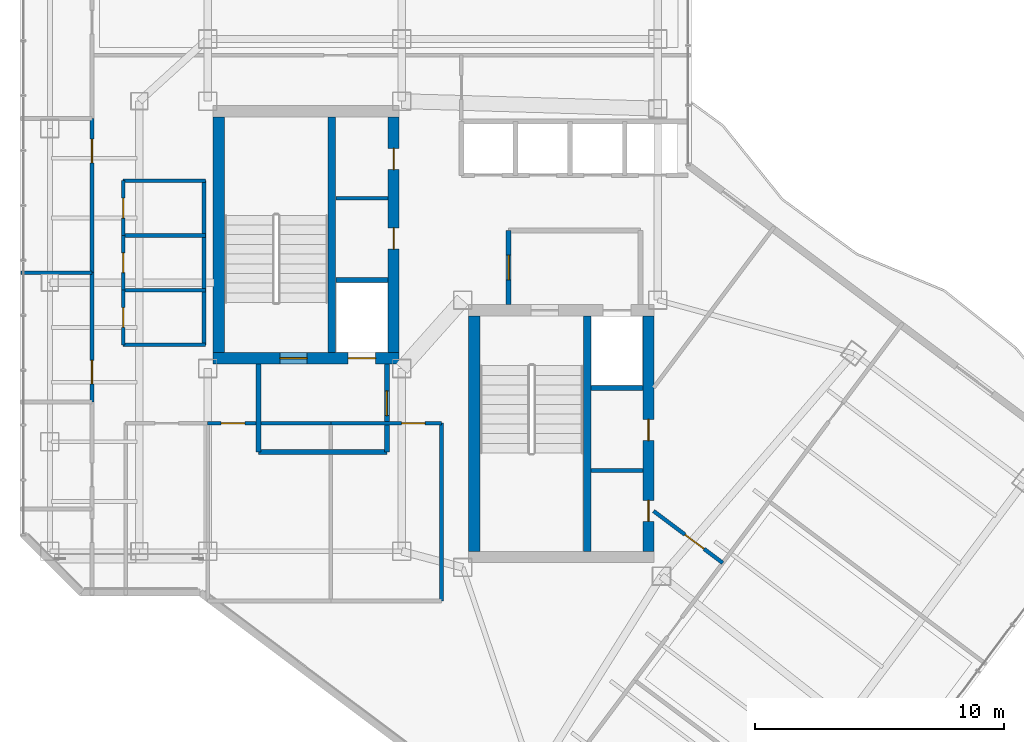
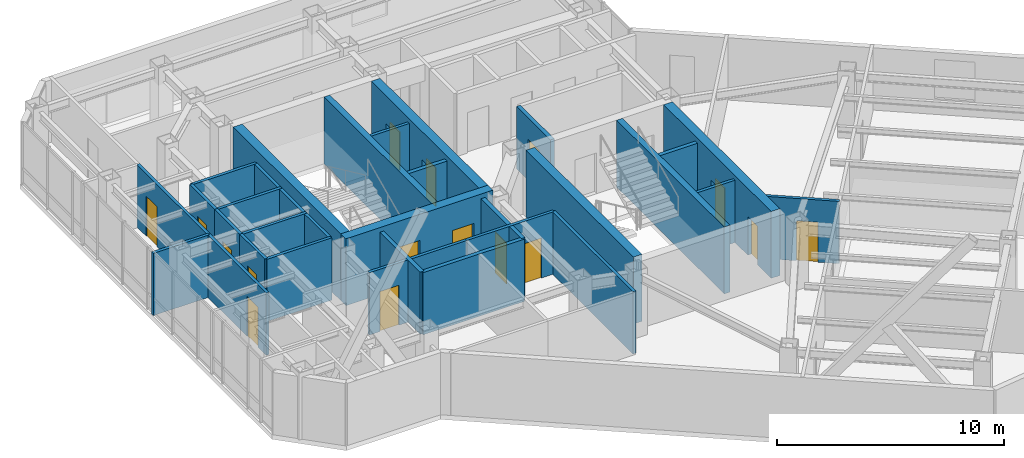
# One storey, part 20 of 24: 30 walls, 16 doors, 16 openings.
"""IFC4 building model written with IfcOpenShell, lengths in metres."""

from ifc_helpers import new_model, si_unit, direction, frame, frame_2d, origin, place, context, subcontext, project, spatial, rectangle, extrude, material, layer, layer_set, type_object, element, fill, save


model = new_model("IFC4")

# Units and contexts
model_context = context("Model", 3, precision=1e-05, world=origin(), true_north=direction((0.0, 1.0)))
body_context = subcontext(model_context, "Body", "Model", "MODEL_VIEW")
ifc_project = project(units=[si_unit("LENGTHUNIT", "METRE"), si_unit("AREAUNIT", "SQUARE_METRE"), si_unit("VOLUMEUNIT", "CUBIC_METRE"), si_unit("PLANEANGLEUNIT", "RADIAN"), si_unit("MASSUNIT", "GRAM", prefix="KILO")], contexts=[model_context])

# Site, building, storey
site_placement = place(None, origin())
site = spatial("IfcSite", under=ifc_project, at=site_placement, CompositionType="ELEMENT")
building_placement = place(site_placement, origin())
building = spatial("IfcBuilding", under=site, at=building_placement, Name="Hatsunagi Terrace Concourse", CompositionType="ELEMENT")
storey_placement = place(building_placement, frame((0.0, 0.0, 213.14990234375)))
storey = spatial("IfcBuildingStorey", under=building, at=storey_placement, Name="L56", CompositionType="ELEMENT", Elevation=213.14990234375)

# Wall, openings, doors
ifc_material_1 = material(Name="Concrete Fc42", Category="concrete")
ifc_layer_1 = layer(ifc_material_1, 0.449951171875)
ifc_layer_set_1 = layer_set([ifc_layer_1], Name="CoreShearWall_Fc42_450")
wall_type_1 = type_object("IfcWallType", Name="CoreShearWall_Fc42_450", PredefinedType="SHEAR", material=ifc_layer_set_1)
wall_1_placement = place(storey_placement, frame((25.77001953125, 32.965087890625, 0.0), z_axis=(0.0, 0.0, 1.0), x_axis=(1.0, 0.0, 0.0)))
wall_1 = element("IfcWall", 1, at=wall_1_placement, inside=storey, type_object=wall_type_1, Name="Core A Shear Wall S L56", PredefinedType="SHEAR", context=body_context, shape_type="SweptSolid", body=[
    extrude(rectangle(XDim=7.47998046875, YDim=0.449951171875, at=frame_2d((3.739990234375, 0.0))), origin(), (0.0, 0.0, 1.0), 3.60009765625),
])
opening_1_placement = place(wall_1_placement, frame((2.679931640625, 0.0, 0.0)))
opening_1 = element("IfcOpeningElement", 2, at=opening_1_placement, cuts=wall_1, Name="Opening DR-110S", PredefinedType="OPENING", context=body_context, shape_type="SweptSolid", body=[
    extrude(rectangle(XDim=1.10009765625, YDim=2.199951171875, at=frame_2d((0.550048828125, 1.10009765625))), frame((0.0, 0.23486328125, 0.0), z_axis=(0.0, -1.0, 0.0), x_axis=(1.0, 0.0, 0.0)), (0.0, 0.0, 1.0), 0.469970703125),
])
opening_2_placement = place(wall_1_placement, frame((5.429931640625, 0.0, 0.0)))
opening_2 = element("IfcOpeningElement", 3, at=opening_2_placement, cuts=wall_1, Name="Opening LD-01", PredefinedType="OPENING", context=body_context, shape_type="SweptSolid", body=[
    extrude(rectangle(XDim=1.10009765625, YDim=2.14990234375, at=frame_2d((0.550048828125, 1.074951171875))), frame((0.0, 0.23486328125, 0.0), z_axis=(0.0, -1.0, 0.0), x_axis=(1.0, 0.0, 0.0)), (0.0, 0.0, 1.0), 0.469970703125),
])
ifc_material_2 = material(Name="Stainless steel", Category="steel")
door_type_1 = type_object("IfcDoorType", Name="LiftLandingDoor_LD01", OperationType="SLIDING_TO_LEFT", PredefinedType="USERDEFINED", material=ifc_material_2)
door_1_placement = place(opening_2_placement, origin())
door_1 = element("IfcDoor", 4, at=door_1_placement, inside=storey, type_object=door_type_1, Name="Lift landing door FF-01 L56", ObjectType="SLIDING_LANDING_DOOR", OperationType="SLIDING_TO_LEFT", OverallHeight=2.14990234375, OverallWidth=1.10009765625, PredefinedType="USERDEFINED", context=body_context, shape_type="SweptSolid", body=[
    extrude(rectangle(XDim=1.10009765625, YDim=2.14990234375, at=frame_2d((0.550048828125, 1.074951171875))), frame((0.0, 0.02490234375, 0.0), z_axis=(0.0, -1.0, 0.0), x_axis=(1.0, 0.0, 0.0)), (0.0, 0.0, 1.0), 0.050048828125),
])
fill(opening_2, door_1)
ifc_material_3 = material(Name="Painted steel", Category="steel")
door_type_2 = type_object("IfcDoorType", Name="StairFireDoor_EI60_1100", OperationType="NOTDEFINED", PredefinedType="DOOR", material=ifc_material_3)
door_2_placement = place(opening_1_placement, origin())
door_2 = element("IfcDoor", 5, at=door_2_placement, inside=storey, type_object=door_type_2, Name="Stair ST-A Exit Door L56", OperationType="SINGLE_SWING_LEFT", OverallHeight=2.199951171875, OverallWidth=1.10009765625, PredefinedType="DOOR", context=body_context, shape_type="SweptSolid", body=[
    extrude(rectangle(XDim=1.10009765625, YDim=2.199951171875, at=frame_2d((0.550048828125, 1.10009765625))), frame((0.0, 0.02490234375, 0.0), z_axis=(0.0, -1.0, 0.0), x_axis=(1.0, 0.0, 0.0)), (0.0, 0.0, 1.0), 0.050048828125),
])
fill(opening_1, door_2)

# Wall
wall_2_placement = place(storey_placement, frame((25.9951171875, 33.18994140625, 0.0), z_axis=(0.0, 0.0, 1.0), x_axis=(0.0, 1.0, 0.0)))
element("IfcWall", 6, at=wall_2_placement, inside=storey, type_object=wall_type_1, Name="Core A Shear Wall W L56", PredefinedType="SHEAR", context=body_context, shape_type="SweptSolid", body=[
    extrude(rectangle(XDim=9.47998046875, YDim=0.449951171875, at=frame_2d((4.739990234375, 0.0))), origin(), (0.0, 0.0, 1.0), 3.60009765625),
])

# Wall, openings, doors
wall_3_placement = place(storey_placement, frame((33.02490234375, 33.18994140625, 0.0), z_axis=(0.0, 0.0, 1.0), x_axis=(0.0, 1.0, 0.0)))
wall_3 = element("IfcWall", 7, at=wall_3_placement, inside=storey, type_object=wall_type_1, Name="Core A Shear Wall E L56", PredefinedType="SHEAR", context=body_context, shape_type="SweptSolid", body=[
    extrude(rectangle(XDim=9.47998046875, YDim=0.449951171875, at=frame_2d((4.739990234375, 0.0))), origin(), (0.0, 0.0, 1.0), 3.60009765625),
])
opening_3_placement = place(wall_3_placement, frame((4.159912109375, 0.0, 0.0)))
opening_3 = element("IfcOpeningElement", 8, at=opening_3_placement, cuts=wall_3, Name="Opening DR-085", PredefinedType="OPENING", context=body_context, shape_type="SweptSolid", body=[
    extrude(rectangle(XDim=0.85009765625, YDim=2.080078125, at=frame_2d((0.425048828125, 1.0400390625))), frame((0.0, 0.23486328125, 0.0), z_axis=(0.0, -1.0, 0.0), x_axis=(1.0, 0.0, 0.0)), (0.0, 0.0, 1.0), 0.469970703125),
])
opening_4_placement = place(wall_3_placement, frame((7.360107421875, 0.0, 0.0)))
opening_4 = element("IfcOpeningElement", 9, at=opening_4_placement, cuts=wall_3, Name="Opening DR-085", PredefinedType="OPENING", context=body_context, shape_type="SweptSolid", body=[
    extrude(rectangle(XDim=0.85009765625, YDim=2.080078125, at=frame_2d((0.425048828125, 1.0400390625))), frame((0.0, 0.23486328125, 0.0), z_axis=(0.0, -1.0, 0.0), x_axis=(1.0, 0.0, 0.0)), (0.0, 0.0, 1.0), 0.469970703125),
])
ifc_material_4 = material(Name="Painted steel", Category="steel")
door_type_3 = type_object("IfcDoorType", Name="RiserAccessDoor_EI60_850", OperationType="NOTDEFINED", PredefinedType="DOOR", material=ifc_material_4)
door_3_placement = place(opening_3_placement, origin())
door_3 = element("IfcDoor", 10, at=door_3_placement, inside=storey, type_object=door_type_3, Name="Core A Riser Door L56-1", OperationType="SINGLE_SWING_LEFT", OverallHeight=2.080078125, OverallWidth=0.85009765625, PredefinedType="DOOR", context=body_context, shape_type="SweptSolid", body=[
    extrude(rectangle(XDim=0.85009765625, YDim=2.080078125, at=frame_2d((0.425048828125, 1.0400390625))), frame((0.0, 0.02490234375, 0.0), z_axis=(0.0, -1.0, 0.0), x_axis=(1.0, 0.0, 0.0)), (0.0, 0.0, 1.0), 0.050048828125),
])
fill(opening_3, door_3)
door_4_placement = place(opening_4_placement, origin())
door_4 = element("IfcDoor", 11, at=door_4_placement, inside=storey, type_object=door_type_3, Name="Core A Riser Door L56-2", OperationType="SINGLE_SWING_LEFT", OverallHeight=2.080078125, OverallWidth=0.85009765625, PredefinedType="DOOR", context=body_context, shape_type="SweptSolid", body=[
    extrude(rectangle(XDim=0.85009765625, YDim=2.080078125, at=frame_2d((0.425048828125, 1.0400390625))), frame((0.0, 0.02490234375, 0.0), z_axis=(0.0, -1.0, 0.0), x_axis=(1.0, 0.0, 0.0)), (0.0, 0.0, 1.0), 0.050048828125),
])
fill(opening_4, door_4)

# Wall
wall_4_placement = place(storey_placement, frame((36.264892578125, 25.18994140625, 0.0), z_axis=(0.0, 0.0, 1.0), x_axis=(0.0, 1.0, 0.0)))
element("IfcWall", 12, at=wall_4_placement, inside=storey, type_object=wall_type_1, Name="Core B Shear Wall W L56", PredefinedType="SHEAR", context=body_context, shape_type="SweptSolid", body=[
    extrude(rectangle(XDim=9.47998046875, YDim=0.449951171875, at=frame_2d((4.739990234375, 0.0))), origin(), (0.0, 0.0, 1.0), 3.60009765625),
])

# Wall, openings, doors
wall_5_placement = place(storey_placement, frame((43.27490234375, 25.18994140625, 0.0), z_axis=(0.0, 0.0, 1.0), x_axis=(0.0, 1.0, 0.0)))
wall_5 = element("IfcWall", 13, at=wall_5_placement, inside=storey, type_object=wall_type_1, Name="Core B Shear Wall E L56", PredefinedType="SHEAR", context=body_context, shape_type="SweptSolid", body=[
    extrude(rectangle(XDim=9.47998046875, YDim=0.449951171875, at=frame_2d((4.739990234375, 0.0))), origin(), (0.0, 0.0, 1.0), 3.60009765625),
])
opening_5_placement = place(wall_5_placement, frame((1.2099609375, 0.0, 0.0)))
opening_5 = element("IfcOpeningElement", 14, at=opening_5_placement, cuts=wall_5, Name="Opening DR-085", PredefinedType="OPENING", context=body_context, shape_type="SweptSolid", body=[
    extrude(rectangle(XDim=0.85009765625, YDim=2.080078125, at=frame_2d((0.425048828125, 1.0400390625))), frame((0.0, 0.23486328125, 0.0), z_axis=(0.0, -1.0, 0.0), x_axis=(1.0, 0.0, 0.0)), (0.0, 0.0, 1.0), 0.469970703125),
])
opening_6_placement = place(wall_5_placement, frame((4.4599609375, 0.0, 0.0)))
opening_6 = element("IfcOpeningElement", 15, at=opening_6_placement, cuts=wall_5, Name="Opening DR-085", PredefinedType="OPENING", context=body_context, shape_type="SweptSolid", body=[
    extrude(rectangle(XDim=0.85009765625, YDim=2.080078125, at=frame_2d((0.425048828125, 1.0400390625))), frame((0.0, 0.23486328125, 0.0), z_axis=(0.0, -1.0, 0.0), x_axis=(1.0, 0.0, 0.0)), (0.0, 0.0, 1.0), 0.469970703125),
])
door_5_placement = place(opening_5_placement, origin())
door_5 = element("IfcDoor", 16, at=door_5_placement, inside=storey, type_object=door_type_3, Name="Core B Riser Door L56-1", OperationType="SINGLE_SWING_RIGHT", OverallHeight=2.080078125, OverallWidth=0.85009765625, PredefinedType="DOOR", context=body_context, shape_type="SweptSolid", body=[
    extrude(rectangle(XDim=0.85009765625, YDim=2.080078125, at=frame_2d((0.425048828125, 1.0400390625))), frame((0.0, 0.02490234375, 0.0), z_axis=(0.0, -1.0, 0.0), x_axis=(1.0, 0.0, 0.0)), (0.0, 0.0, 1.0), 0.050048828125),
])
fill(opening_5, door_5)
door_6_placement = place(opening_6_placement, origin())
door_6 = element("IfcDoor", 17, at=door_6_placement, inside=storey, type_object=door_type_3, Name="Core B Riser Door L56-2", OperationType="SINGLE_SWING_RIGHT", OverallHeight=2.080078125, OverallWidth=0.85009765625, PredefinedType="DOOR", context=body_context, shape_type="SweptSolid", body=[
    extrude(rectangle(XDim=0.85009765625, YDim=2.080078125, at=frame_2d((0.425048828125, 1.0400390625))), frame((0.0, 0.02490234375, 0.0), z_axis=(0.0, -1.0, 0.0), x_axis=(1.0, 0.0, 0.0)), (0.0, 0.0, 1.0), 0.050048828125),
])
fill(opening_6, door_6)

# Walls
ifc_material_5 = material(Name="Concrete Fc48", Category="concrete")
ifc_layer_2 = layer(ifc_material_5, 0.300048828125)
ifc_layer_set_2 = layer_set([ifc_layer_2], Name="CoreStairDivider_Fc48_300")
wall_type_2 = type_object("IfcWallType", Name="CoreStairDivider_Fc48_300", PredefinedType="SHEAR", material=ifc_layer_set_2)
for number, where, z_axis, x_axis, name in (
    (18, (30.5400390625, 33.18994140625, 0.0), (0.0, 0.0, 1.0), (0.0, 1.0, 0.0), "Core A Shear Wall D L56"),
    (19, (40.81005859375, 25.18994140625, 0.0), (0.0, 0.0, 1.0), (0.0, 1.0, 0.0), "Core B Shear Wall D L56"),
):
    element("IfcWall", number, at=place(storey_placement, frame(where, z_axis=z_axis, x_axis=x_axis)), inside=storey, type_object=wall_type_2, Name=name, PredefinedType="SHEAR", context=body_context, shape_type="SweptSolid", body=[
        extrude(rectangle(XDim=9.47998046875, YDim=0.300048828125, at=frame_2d((4.739990234375, 0.0))), origin(), (0.0, 0.0, 1.0), 3.60009765625),
    ])
ifc_material_6 = material(Name="Acoustic mineral board", Category="gypsum")
ifc_layer_3 = layer(ifc_material_6, 0.14990234375)
ifc_layer_set_3 = layer_set([ifc_layer_3], Name="PartitionWall_EI60_150")
wall_type_3 = type_object("IfcWallType", Name="PartitionWall_EI60_150", PredefinedType="PARTITIONING", material=ifc_layer_set_3)
wall_6_placement = place(storey_placement, frame((30.699951171875, 39.39990234375, 0.0), z_axis=(0.0, 0.0, 1.0), x_axis=(1.0, 0.0, 0.0)))
element("IfcWall", 20, at=wall_6_placement, inside=storey, type_object=wall_type_3, Name="Interior Partition IW-L56-002", PredefinedType="PARTITIONING", context=body_context, shape_type="SweptSolid", body=[
    extrude(rectangle(XDim=2.10009765625, YDim=0.14990234375, at=frame_2d((1.050048828125, 0.0))), origin(), (0.0, 0.0, 1.0), 3.35009765625),
])
wall_7_placement = place(storey_placement, frame((40.969970703125, 28.449951171875, 0.0), z_axis=(0.0, 0.0, 1.0), x_axis=(1.0, 0.0, 0.0)))
element("IfcWall", 21, at=wall_7_placement, inside=storey, type_object=wall_type_3, Name="Interior Partition IW-L56-004", PredefinedType="PARTITIONING", context=body_context, shape_type="SweptSolid", body=[
    extrude(rectangle(XDim=2.080078125, YDim=0.14990234375, at=frame_2d((1.0400390625, 0.0))), origin(), (0.0, 0.0, 1.0), 3.35009765625),
])
for number, where, z_axis, x_axis, name in (
    (22, (22.14990234375, 33.5, 0.0), (0.0, 0.0, 1.0), (1.0, 0.0, 0.0), "Interior Partition IW-L56-017"),
    (23, (22.14990234375, 40.10009765625, 0.0), (0.0, 0.0, 1.0), (1.0, 0.0, 0.0), "Interior Partition IW-L56-018"),
):
    element("IfcWall", number, at=place(storey_placement, frame(where, z_axis=z_axis, x_axis=x_axis)), inside=storey, type_object=wall_type_3, Name=name, PredefinedType="PARTITIONING", context=body_context, shape_type="SweptSolid", body=[
        extrude(rectangle(XDim=3.300048828125, YDim=0.14990234375, at=frame_2d((1.64990234375, 0.0))), origin(), (0.0, 0.0, 1.0), 3.35009765625),
    ])
wall_8_placement = place(storey_placement, frame((25.39990234375, 33.5, 0.0), z_axis=(0.0, 0.0, 1.0), x_axis=(0.0, 1.0, 0.0)))
element("IfcWall", 24, at=wall_8_placement, inside=storey, type_object=wall_type_3, Name="Interior Partition IW-L56-019", PredefinedType="PARTITIONING", context=body_context, shape_type="SweptSolid", body=[
    extrude(rectangle(XDim=6.60009765625, YDim=0.14990234375, at=frame_2d((3.300048828125, 0.0))), origin(), (0.0, 0.0, 1.0), 3.35009765625),
])
for number, where, z_axis, x_axis, name in (
    (25, (22.14990234375, 35.699951171875, 0.0), (0.0, 0.0, 1.0), (1.0, 0.0, 0.0), "Interior Partition IW-L56-020"),
    (26, (22.14990234375, 37.89990234375, 0.0), (0.0, 0.0, 1.0), (1.0, 0.0, 0.0), "Interior Partition IW-L56-021"),
):
    element("IfcWall", number, at=place(storey_placement, frame(where, z_axis=z_axis, x_axis=x_axis)), inside=storey, type_object=wall_type_3, Name=name, PredefinedType="PARTITIONING", context=body_context, shape_type="SweptSolid", body=[
        extrude(rectangle(XDim=3.300048828125, YDim=0.14990234375, at=frame_2d((1.64990234375, 0.0))), origin(), (0.0, 0.0, 1.0), 3.35009765625),
    ])

# Wall, opening, door
wall_9_placement = place(storey_placement, frame((22.14990234375, 33.5, 0.0), z_axis=(0.0, 0.0, 1.0), x_axis=(0.0, 1.0, 0.0)))
wall_9 = element("IfcWall", 27, at=wall_9_placement, inside=storey, type_object=wall_type_3, Name="Interior Partition IW-L56-022", PredefinedType="PARTITIONING", context=body_context, shape_type="SweptSolid", body=[
    extrude(rectangle(XDim=2.199951171875, YDim=0.14990234375, at=frame_2d((1.10009765625, 0.0))), origin(), (0.0, 0.0, 1.0), 3.35009765625),
])
opening_7_placement = place(wall_9_placement, frame((0.699951171875, 0.0, 0.0)))
opening_7 = element("IfcOpeningElement", 28, at=opening_7_placement, cuts=wall_9, Name="Opening DR-080", PredefinedType="OPENING", context=body_context, shape_type="SweptSolid", body=[
    extrude(rectangle(XDim=0.800048828125, YDim=2.06005859375, at=frame_2d((0.39990234375, 1.030029296875))), frame((0.0, 0.0849609375, 0.0), z_axis=(0.0, -1.0, 0.0), x_axis=(1.0, 0.0, 0.0)), (0.0, 0.0, 1.0), 0.169921875),
])
ifc_material_7 = material(Name="Hardwood timber", Category="wood")
door_type_4 = type_object("IfcDoorType", Name="BathroomDoor_800", OperationType="NOTDEFINED", PredefinedType="DOOR", material=ifc_material_7)
door_7_placement = place(opening_7_placement, origin())
door_7 = element("IfcDoor", 29, at=door_7_placement, inside=storey, type_object=door_type_4, Name="Accessible WC Door L56", OperationType="SINGLE_SWING_RIGHT", OverallHeight=2.06005859375, OverallWidth=0.800048828125, PredefinedType="DOOR", context=body_context, shape_type="SweptSolid", body=[
    extrude(rectangle(XDim=0.800048828125, YDim=2.06005859375, at=frame_2d((0.39990234375, 1.030029296875))), frame((0.0, 0.02490234375, 0.0), z_axis=(0.0, -1.0, 0.0), x_axis=(1.0, 0.0, 0.0)), (0.0, 0.0, 1.0), 0.050048828125),
])
fill(opening_7, door_7)

wall_10_placement = place(storey_placement, frame((22.14990234375, 35.699951171875, 0.0), z_axis=(0.0, 0.0, 1.0), x_axis=(0.0, 1.0, 0.0)))
wall_10 = element("IfcWall", 30, at=wall_10_placement, inside=storey, type_object=wall_type_3, Name="Interior Partition IW-L56-023", PredefinedType="PARTITIONING", context=body_context, shape_type="SweptSolid", body=[
    extrude(rectangle(XDim=2.199951171875, YDim=0.14990234375, at=frame_2d((1.10009765625, 0.0))), origin(), (0.0, 0.0, 1.0), 3.35009765625),
])
opening_8_placement = place(wall_10_placement, frame((0.699951171875, 0.0, 0.0)))
opening_8 = element("IfcOpeningElement", 31, at=opening_8_placement, cuts=wall_10, Name="Opening DR-080", PredefinedType="OPENING", context=body_context, shape_type="SweptSolid", body=[
    extrude(rectangle(XDim=0.800048828125, YDim=2.06005859375, at=frame_2d((0.39990234375, 1.030029296875))), frame((0.0, 0.0849609375, 0.0), z_axis=(0.0, -1.0, 0.0), x_axis=(1.0, 0.0, 0.0)), (0.0, 0.0, 1.0), 0.169921875),
])
door_8_placement = place(opening_8_placement, origin())
door_8 = element("IfcDoor", 32, at=door_8_placement, inside=storey, type_object=door_type_4, Name="Female Restroom Door L56", OperationType="SINGLE_SWING_RIGHT", OverallHeight=2.06005859375, OverallWidth=0.800048828125, PredefinedType="DOOR", context=body_context, shape_type="SweptSolid", body=[
    extrude(rectangle(XDim=0.800048828125, YDim=2.06005859375, at=frame_2d((0.39990234375, 1.030029296875))), frame((0.0, 0.02490234375, 0.0), z_axis=(0.0, -1.0, 0.0), x_axis=(1.0, 0.0, 0.0)), (0.0, 0.0, 1.0), 0.050048828125),
])
fill(opening_8, door_8)

wall_11_placement = place(storey_placement, frame((22.14990234375, 37.89990234375, 0.0), z_axis=(0.0, 0.0, 1.0), x_axis=(0.0, 1.0, 0.0)))
wall_11 = element("IfcWall", 33, at=wall_11_placement, inside=storey, type_object=wall_type_3, Name="Interior Partition IW-L56-024", PredefinedType="PARTITIONING", context=body_context, shape_type="SweptSolid", body=[
    extrude(rectangle(XDim=2.2001953125, YDim=0.14990234375, at=frame_2d((1.10009765625, 0.0))), origin(), (0.0, 0.0, 1.0), 3.35009765625),
])
opening_9_placement = place(wall_11_placement, frame((0.699951171875, 0.0, 0.0)))
opening_9 = element("IfcOpeningElement", 34, at=opening_9_placement, cuts=wall_11, Name="Opening DR-080", PredefinedType="OPENING", context=body_context, shape_type="SweptSolid", body=[
    extrude(rectangle(XDim=0.800048828125, YDim=2.06005859375, at=frame_2d((0.39990234375, 1.030029296875))), frame((0.0, 0.0849609375, 0.0), z_axis=(0.0, -1.0, 0.0), x_axis=(1.0, 0.0, 0.0)), (0.0, 0.0, 1.0), 0.169921875),
])
door_9_placement = place(opening_9_placement, origin())
door_9 = element("IfcDoor", 35, at=door_9_placement, inside=storey, type_object=door_type_4, Name="Male Restroom Door L56", OperationType="SINGLE_SWING_RIGHT", OverallHeight=2.06005859375, OverallWidth=0.800048828125, PredefinedType="DOOR", context=body_context, shape_type="SweptSolid", body=[
    extrude(rectangle(XDim=0.800048828125, YDim=2.06005859375, at=frame_2d((0.39990234375, 1.030029296875))), frame((0.0, 0.02490234375, 0.0), z_axis=(0.0, -1.0, 0.0), x_axis=(1.0, 0.0, 0.0)), (0.0, 0.0, 1.0), 0.050048828125),
])
fill(opening_9, door_9)

wall_12_placement = place(storey_placement, frame((25.550048828125, 30.35009765625, 0.0), z_axis=(0.0, 0.0, 1.0), x_axis=(1.0, 0.0, 0.0)))
wall_12 = element("IfcWall", 36, at=wall_12_placement, inside=storey, type_object=wall_type_3, Name="Interior Partition IW-L56-026", PredefinedType="PARTITIONING", context=body_context, shape_type="SweptSolid", body=[
    extrude(rectangle(XDim=4.949951171875, YDim=0.14990234375, at=frame_2d((2.47509765625, 0.0))), origin(), (0.0, 0.0, 1.0), 3.35009765625),
])
opening_10_placement = place(wall_12_placement, frame((0.5419921875, 0.0, 0.0)))
opening_10 = element("IfcOpeningElement", 37, at=opening_10_placement, cuts=wall_12, Name="Opening DR-095", PredefinedType="OPENING", context=body_context, shape_type="SweptSolid", body=[
    extrude(rectangle(XDim=0.949951171875, YDim=2.14990234375, at=frame_2d((0.47509765625, 1.074951171875))), frame((0.0, 0.0849609375, 0.0), z_axis=(0.0, -1.0, 0.0), x_axis=(1.0, 0.0, 0.0)), (0.0, 0.0, 1.0), 0.169921875),
])
ifc_material_8 = material(Name="Hardwood timber", Category="wood")
door_type_5 = type_object("IfcDoorType", Name="InteriorSuiteDoor_EI30_950", OperationType="NOTDEFINED", PredefinedType="DOOR", material=ifc_material_8)
door_10_placement = place(opening_10_placement, origin())
door_10 = element("IfcDoor", 38, at=door_10_placement, inside=storey, type_object=door_type_5, Name="Breakout Pantry L56-RECL1 Door", OperationType="SINGLE_SWING_RIGHT", OverallHeight=2.14990234375, OverallWidth=0.949951171875, PredefinedType="DOOR", context=body_context, shape_type="SweptSolid", body=[
    extrude(rectangle(XDim=0.949951171875, YDim=2.14990234375, at=frame_2d((0.47509765625, 1.074951171875))), frame((0.0, 0.02490234375, 0.0), z_axis=(0.0, -1.0, 0.0), x_axis=(1.0, 0.0, 0.0)), (0.0, 0.0, 1.0), 0.050048828125),
])
fill(opening_10, door_10)

wall_13_placement = place(storey_placement, frame((30.5, 30.35009765625, 0.0), z_axis=(0.0, 0.0, 1.0), x_axis=(1.0, 0.0, 0.0)))
wall_13 = element("IfcWall", 39, at=wall_13_placement, inside=storey, type_object=wall_type_3, Name="Interior Partition IW-L56-030", PredefinedType="PARTITIONING", context=body_context, shape_type="SweptSolid", body=[
    extrude(rectangle(XDim=4.449951171875, YDim=0.14990234375, at=frame_2d((2.22509765625, 0.0))), origin(), (0.0, 0.0, 1.0), 3.35009765625),
])
opening_11_placement = place(wall_13_placement, frame((2.845947265625, 0.0, 0.0)))
opening_11 = element("IfcOpeningElement", 40, at=opening_11_placement, cuts=wall_13, Name="Opening DR-095", PredefinedType="OPENING", context=body_context, shape_type="SweptSolid", body=[
    extrude(rectangle(XDim=0.949951171875, YDim=2.14990234375, at=frame_2d((0.47509765625, 1.074951171875))), frame((0.0, 0.0849609375, 0.0), z_axis=(0.0, -1.0, 0.0), x_axis=(1.0, 0.0, 0.0)), (0.0, 0.0, 1.0), 0.169921875),
])
door_11_placement = place(opening_11_placement, origin())
door_11 = element("IfcDoor", 41, at=door_11_placement, inside=storey, type_object=door_type_5, Name="Focus Room L56-RECL2 Door", OperationType="SINGLE_SWING_RIGHT", OverallHeight=2.14990234375, OverallWidth=0.949951171875, PredefinedType="DOOR", context=body_context, shape_type="SweptSolid", body=[
    extrude(rectangle(XDim=0.949951171875, YDim=2.14990234375, at=frame_2d((0.47509765625, 1.074951171875))), frame((0.0, 0.02490234375, 0.0), z_axis=(0.0, -1.0, 0.0), x_axis=(1.0, 0.0, 0.0)), (0.0, 0.0, 1.0), 0.050048828125),
])
fill(opening_11, door_11)

# Walls
wall_14_placement = place(storey_placement, frame((34.949951171875, 23.199951171875, 0.0), z_axis=(0.0, 0.0, 1.0), x_axis=(0.0, 1.0, 0.0)))
element("IfcWall", 42, at=wall_14_placement, inside=storey, type_object=wall_type_3, Name="Interior Partition IW-L56-031", PredefinedType="PARTITIONING", context=body_context, shape_type="SweptSolid", body=[
    extrude(rectangle(XDim=7.150146484375, YDim=0.14990234375, at=frame_2d((3.5751953125, 0.0))), origin(), (0.0, 0.0, 1.0), 3.35009765625),
])
wall_15_placement = place(storey_placement, frame((18.0400390625, 36.39990234375, 0.0), z_axis=(0.0, 0.0, 1.0), x_axis=(1.0, 0.0, 0.0)))
element("IfcWall", 43, at=wall_15_placement, inside=storey, type_object=wall_type_3, Name="Interior Partition IW-L56-036", PredefinedType="PARTITIONING", context=body_context, shape_type="SweptSolid", body=[
    extrude(rectangle(XDim=2.85986328125, YDim=0.14990234375, at=frame_2d((1.429931640625, 0.0))), origin(), (0.0, 0.0, 1.0), 3.35009765625),
])

# Wall, opening, door
wall_16_placement = place(storey_placement, frame((20.89990234375, 31.199951171875, 0.0), z_axis=(0.0, 0.0, 1.0), x_axis=(0.0, 1.0, 0.0)))
wall_16 = element("IfcWall", 44, at=wall_16_placement, inside=storey, type_object=wall_type_3, Name="Interior Partition IW-L56-037", PredefinedType="PARTITIONING", context=body_context, shape_type="SweptSolid", body=[
    extrude(rectangle(XDim=5.199951171875, YDim=0.14990234375, at=frame_2d((2.60009765625, 0.0))), origin(), (0.0, 0.0, 1.0), 3.35009765625),
])
opening_12_placement = place(wall_16_placement, frame((0.72900390625, 0.0, 0.0)))
opening_12 = element("IfcOpeningElement", 45, at=opening_12_placement, cuts=wall_16, Name="Opening DR-095", PredefinedType="OPENING", context=body_context, shape_type="SweptSolid", body=[
    extrude(rectangle(XDim=0.949951171875, YDim=2.14990234375, at=frame_2d((0.47509765625, 1.074951171875))), frame((0.0, 0.0849609375, 0.0), z_axis=(0.0, -1.0, 0.0), x_axis=(1.0, 0.0, 0.0)), (0.0, 0.0, 1.0), 0.169921875),
])
door_12_placement = place(opening_12_placement, origin())
door_12 = element("IfcDoor", 46, at=door_12_placement, inside=storey, type_object=door_type_5, Name="Executive Office L56-OW3 Door", OperationType="SINGLE_SWING_RIGHT", OverallHeight=2.14990234375, OverallWidth=0.949951171875, PredefinedType="DOOR", context=body_context, shape_type="SweptSolid", body=[
    extrude(rectangle(XDim=0.949951171875, YDim=2.14990234375, at=frame_2d((0.47509765625, 1.074951171875))), frame((0.0, 0.02490234375, 0.0), z_axis=(0.0, -1.0, 0.0), x_axis=(1.0, 0.0, 0.0)), (0.0, 0.0, 1.0), 0.050048828125),
])
fill(opening_12, door_12)

wall_17_placement = place(storey_placement, frame((20.89990234375, 36.39990234375, 0.0), z_axis=(0.0, 0.0, 1.0), x_axis=(0.0, 1.0, 0.0)))
wall_17 = element("IfcWall", 47, at=wall_17_placement, inside=storey, type_object=wall_type_3, Name="Interior Partition IW-L56-039", PredefinedType="PARTITIONING", context=body_context, shape_type="SweptSolid", body=[
    extrude(rectangle(XDim=6.2001953125, YDim=0.14990234375, at=frame_2d((3.10009765625, 0.0))), origin(), (0.0, 0.0, 1.0), 3.35009765625),
])
opening_13_placement = place(wall_17_placement, frame((4.4208984375, 0.0, 0.0)))
opening_13 = element("IfcOpeningElement", 48, at=opening_13_placement, cuts=wall_17, Name="Opening DR-095", PredefinedType="OPENING", context=body_context, shape_type="SweptSolid", body=[
    extrude(rectangle(XDim=0.949951171875, YDim=2.14990234375, at=frame_2d((0.47509765625, 1.074951171875))), frame((0.0, 0.0849609375, 0.0), z_axis=(0.0, -1.0, 0.0), x_axis=(1.0, 0.0, 0.0)), (0.0, 0.0, 1.0), 0.169921875),
])
door_13_placement = place(opening_13_placement, origin())
door_13 = element("IfcDoor", 49, at=door_13_placement, inside=storey, type_object=door_type_5, Name="Meeting Room L56-OW4 Door", OperationType="SINGLE_SWING_RIGHT", OverallHeight=2.14990234375, OverallWidth=0.949951171875, PredefinedType="DOOR", context=body_context, shape_type="SweptSolid", body=[
    extrude(rectangle(XDim=0.949951171875, YDim=2.14990234375, at=frame_2d((0.47509765625, 1.074951171875))), frame((0.0, 0.02490234375, 0.0), z_axis=(0.0, -1.0, 0.0), x_axis=(1.0, 0.0, 0.0)), (0.0, 0.0, 1.0), 0.050048828125),
])
fill(opening_13, door_13)

wall_18_placement = place(storey_placement, frame((43.47998046875, 26.81494140625, 0.0), z_axis=(0.0, 0.0, 1.0), x_axis=(0.800008430676, -0.599988758934, 0.0)))
wall_18 = element("IfcWall", 50, at=wall_18_placement, inside=storey, type_object=wall_type_3, Name="Interior Partition IW-L56-047", PredefinedType="PARTITIONING", context=body_context, shape_type="SweptSolid", body=[
    extrude(rectangle(XDim=3.47509765625, YDim=0.14990234375, at=frame_2d((1.737548828125, 0.0))), origin(), (0.0, 0.0, 1.0), 3.35009765625),
])
opening_14_placement = place(wall_18_placement, frame((1.580078125, 0.0, 0.0)))
opening_14 = element("IfcOpeningElement", 51, at=opening_14_placement, cuts=wall_18, Name="Opening DR-095", PredefinedType="OPENING", context=body_context, shape_type="SweptSolid", body=[
    extrude(rectangle(XDim=0.949951171875, YDim=2.14990234375, at=frame_2d((0.47509765625, 1.074951171875))), frame((0.0, 0.0849609375, 0.0), z_axis=(0.0, -1.0, 0.0), x_axis=(1.0, 0.0, 0.0)), (0.0, 0.0, 1.0), 0.169921875),
])
door_14_placement = place(opening_14_placement, origin())
door_14 = element("IfcDoor", 52, at=door_14_placement, inside=storey, type_object=door_type_5, Name="Collaboration Lounge L56-OSEN1 Door", OperationType="SINGLE_SWING_LEFT", OverallHeight=2.14990234375, OverallWidth=0.949951171875, PredefinedType="DOOR", context=body_context, shape_type="SweptSolid", body=[
    extrude(rectangle(XDim=0.949951171875, YDim=2.14990234375, at=frame_2d((0.47509765625, 1.074951171875))), frame((0.0, 0.02490234375, 0.0), z_axis=(0.0, -1.0, 0.0), x_axis=(1.0, 0.0, 0.0)), (0.0, 0.0, 1.0), 0.050048828125),
])
fill(opening_14, door_14)

# Walls
ifc_material_9 = material(Name="Acoustic mineral board", Category="gypsum")
ifc_layer_4 = layer(ifc_material_9, 0.199951171875)
ifc_layer_set_4 = layer_set([ifc_layer_4], Name="ShaftWall_EI120_200")
wall_type_4 = type_object("IfcWallType", Name="ShaftWall_EI120_200", PredefinedType="STANDARD", material=ifc_layer_set_4)
wall_19_placement = place(storey_placement, frame((30.699951171875, 36.10009765625, 0.0), z_axis=(0.0, 0.0, 1.0), x_axis=(1.0, 0.0, 0.0)))
element("IfcWall", 53, at=wall_19_placement, inside=storey, type_object=wall_type_4, Name="Interior Partition IW-L56-001", PredefinedType="STANDARD", context=body_context, shape_type="SweptSolid", body=[
    extrude(rectangle(XDim=2.10009765625, YDim=0.199951171875, at=frame_2d((1.050048828125, 0.0))), origin(), (0.0, 0.0, 1.0), 3.35009765625),
])
wall_20_placement = place(storey_placement, frame((40.969970703125, 31.760009765625, 0.0), z_axis=(0.0, 0.0, 1.0), x_axis=(1.0, 0.0, 0.0)))
element("IfcWall", 54, at=wall_20_placement, inside=storey, type_object=wall_type_4, Name="Interior Partition IW-L56-003", PredefinedType="STANDARD", context=body_context, shape_type="SweptSolid", body=[
    extrude(rectangle(XDim=2.080078125, YDim=0.199951171875, at=frame_2d((1.0400390625, 0.0))), origin(), (0.0, 0.0, 1.0), 3.35009765625),
])
wall_21_placement = place(storey_placement, frame((27.60009765625, 29.199951171875, 0.0), z_axis=(0.0, 0.0, 1.0), x_axis=(1.0, 0.0, 0.0)))
element("IfcWall", 55, at=wall_21_placement, inside=storey, type_object=wall_type_4, Name="Interior Partition IW-L56-005", PredefinedType="STANDARD", context=body_context, shape_type="SweptSolid", body=[
    extrude(rectangle(XDim=5.14990234375, YDim=0.199951171875, at=frame_2d((2.574951171875, 0.0))), origin(), (0.0, 0.0, 1.0), 3.35009765625),
])
wall_22_placement = place(storey_placement, frame((27.60009765625, 29.199951171875, 0.0), z_axis=(0.0, 0.0, 1.0), x_axis=(0.0, 1.0, 0.0)))
element("IfcWall", 56, at=wall_22_placement, inside=storey, type_object=wall_type_4, Name="Interior Partition IW-L56-006", PredefinedType="STANDARD", context=body_context, shape_type="SweptSolid", body=[
    extrude(rectangle(XDim=3.5400390625, YDim=0.199951171875, at=frame_2d((1.77001953125, 0.0))), origin(), (0.0, 0.0, 1.0), 3.35009765625),
])

# Wall, opening, door
wall_23_placement = place(storey_placement, frame((32.75, 29.199951171875, 0.0), z_axis=(0.0, 0.0, 1.0), x_axis=(0.0, 1.0, 0.0)))
wall_23 = element("IfcWall", 57, at=wall_23_placement, inside=storey, type_object=wall_type_4, Name="Interior Partition IW-L56-007", PredefinedType="STANDARD", context=body_context, shape_type="SweptSolid", body=[
    extrude(rectangle(XDim=3.5400390625, YDim=0.199951171875, at=frame_2d((1.77001953125, 0.0))), origin(), (0.0, 0.0, 1.0), 3.35009765625),
])
opening_15_placement = place(wall_23_placement, frame((1.449951171875, 0.0, 0.0)))
opening_15 = element("IfcOpeningElement", 58, at=opening_15_placement, cuts=wall_23, Name="Opening DR-100F", PredefinedType="OPENING", context=body_context, shape_type="SweptSolid", body=[
    extrude(rectangle(XDim=1.0, YDim=2.199951171875, at=frame_2d((0.5, 1.10009765625))), frame((0.0, 0.10986328125, 0.0), z_axis=(0.0, -1.0, 0.0), x_axis=(1.0, 0.0, 0.0)), (0.0, 0.0, 1.0), 0.219970703125),
])
ifc_material_10 = material(Name="Painted steel", Category="steel")
door_type_6 = type_object("IfcDoorType", Name="FireDoor_EI60_1000", OperationType="NOTDEFINED", PredefinedType="DOOR", material=ifc_material_10)
door_15_placement = place(opening_15_placement, origin())
door_15 = element("IfcDoor", 59, at=door_15_placement, inside=storey, type_object=door_type_6, Name="Firefighting Lobby A Door L56", OperationType="SINGLE_SWING_RIGHT", OverallHeight=2.199951171875, OverallWidth=1.0, PredefinedType="DOOR", context=body_context, shape_type="SweptSolid", body=[
    extrude(rectangle(XDim=1.0, YDim=2.199951171875, at=frame_2d((0.5, 1.10009765625))), frame((0.0, 0.02490234375, 0.0), z_axis=(0.0, -1.0, 0.0), x_axis=(1.0, 0.0, 0.0)), (0.0, 0.0, 1.0), 0.050048828125),
])
fill(opening_15, door_15)

wall_24_placement = place(storey_placement, frame((37.64990234375, 35.1201171875, 0.0), z_axis=(0.0, 0.0, 1.0), x_axis=(0.0, 1.0, 0.0)))
wall_24 = element("IfcWall", 60, at=wall_24_placement, inside=storey, type_object=wall_type_4, Name="Interior Partition IW-L56-010", PredefinedType="STANDARD", context=body_context, shape_type="SweptSolid", body=[
    extrude(rectangle(XDim=2.97998046875, YDim=0.199951171875, at=frame_2d((1.489990234375, 0.0))), origin(), (0.0, 0.0, 1.0), 3.35009765625),
])
opening_16_placement = place(wall_24_placement, frame((0.989990234375, 0.0, 0.0)))
opening_16 = element("IfcOpeningElement", 61, at=opening_16_placement, cuts=wall_24, Name="Opening DR-100F", PredefinedType="OPENING", context=body_context, shape_type="SweptSolid", body=[
    extrude(rectangle(XDim=1.0, YDim=2.199951171875, at=frame_2d((0.5, 1.10009765625))), frame((0.0, 0.10986328125, 0.0), z_axis=(0.0, -1.0, 0.0), x_axis=(1.0, 0.0, 0.0)), (0.0, 0.0, 1.0), 0.219970703125),
])
door_16_placement = place(opening_16_placement, origin())
door_16 = element("IfcDoor", 62, at=door_16_placement, inside=storey, type_object=door_type_6, Name="Firefighting Lobby B Door L56", OperationType="SINGLE_SWING_RIGHT", OverallHeight=2.199951171875, OverallWidth=1.0, PredefinedType="DOOR", context=body_context, shape_type="SweptSolid", body=[
    extrude(rectangle(XDim=1.0, YDim=2.199951171875, at=frame_2d((0.5, 1.10009765625))), frame((0.0, 0.02490234375, 0.0), z_axis=(0.0, -1.0, 0.0), x_axis=(1.0, 0.0, 0.0)), (0.0, 0.0, 1.0), 0.050048828125),
])
fill(opening_16, door_16)

save(model, "model.ifc")
